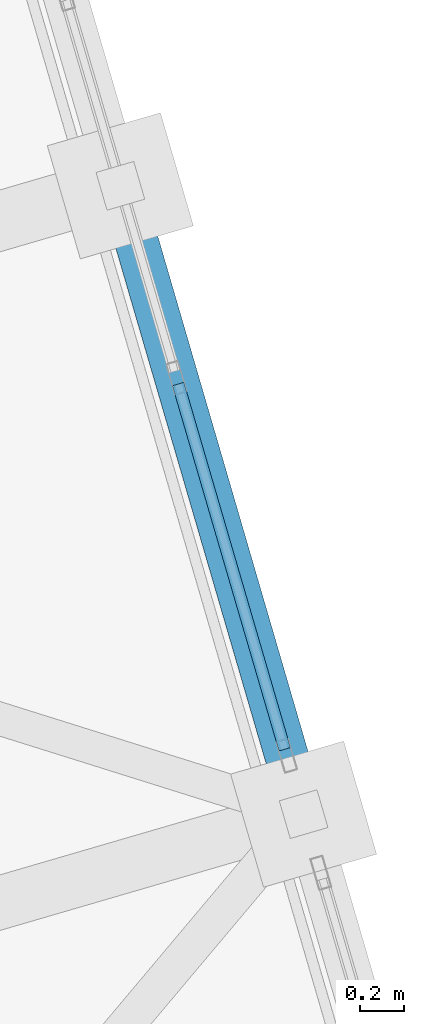
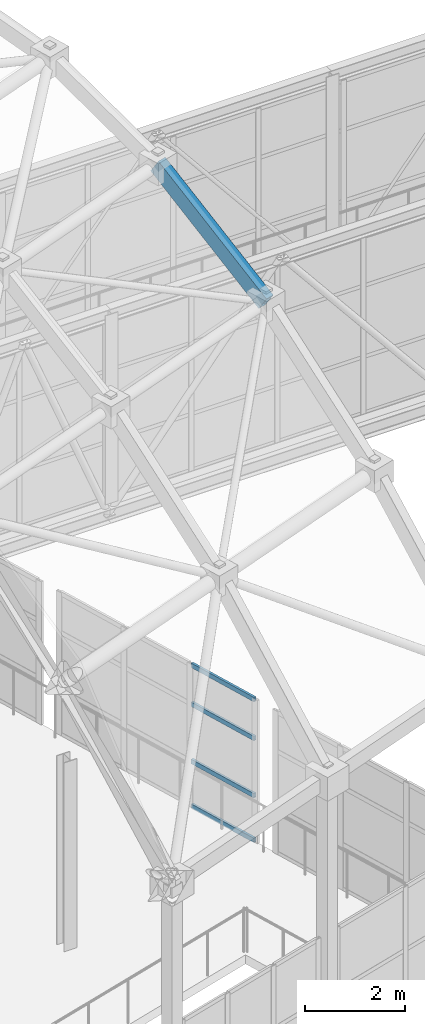
# One storey, part 77 of 248: 4 members, 1 beam, 1 element without a shape of its own.
"""IFC4 building model written with IfcOpenShell, lengths in metres."""

from ifc_helpers import new_model, si_unit, direction, frame, origin, origin_2d, place, context, subcontext, project, spatial, hollow_rectangle, extrude, material, layer, layer_set, material_profile, profile_set, type_object, element, aggregate, save


model = new_model("IFC4")

# Units and contexts
model_context = context("Model", 3, precision=1e-05, world=origin(), true_north=direction((0.0, 1.0)))
body_context = subcontext(model_context, "Body", "Model", "MODEL_VIEW")
ifc_project = project(units=[si_unit("LENGTHUNIT", "METRE"), si_unit("AREAUNIT", "SQUARE_METRE"), si_unit("VOLUMEUNIT", "CUBIC_METRE"), si_unit("PLANEANGLEUNIT", "RADIAN"), si_unit("MASSUNIT", "GRAM", prefix="KILO")], contexts=[model_context])

# Site, building, storey
site_placement = place(None, origin())
site = spatial("IfcSite", under=ifc_project, at=site_placement, CompositionType="ELEMENT")
building_placement = place(site_placement, origin())
building = spatial("IfcBuilding", under=site, at=building_placement, Name="Canggui Botanical Conservatory", CompositionType="ELEMENT")
storey_placement = place(building_placement, frame((0.0, 0.0, 5.39990234375)))
storey = spatial("IfcBuildingStorey", under=building, at=storey_placement, Name="L02", CompositionType="ELEMENT", Elevation=5.39990234375)

# Beam
ifc_material_1 = material(Name="Steel Q355C", Category="steel")
ifc_material_profile_1 = material_profile(ifc_material_1, hollow_rectangle(XDim=0.199951171875, YDim=0.39990234375, WallThickness=0.011962890625, at=origin_2d()), Name="RHS 200x400x12")
ifc_profile_set_1 = profile_set([ifc_material_profile_1], Name="Steel Q355C")
beam_type = type_object("IfcBeamType", Name="BM-GJ04", PredefinedType="BEAM", material=ifc_profile_set_1)
beam_placement = place(storey_placement, frame((70.159912109375, 62.8798828125, 13.343994140625), z_axis=(-0.235781843424, 0.808580932231, 0.539076801898), x_axis=(-0.960017315421, -0.279940626011, 0.0)))
element("IfcBeam", 1, at=beam_placement, inside=storey, type_object=beam_type, Name="Conservatory Stepped-Arch Rib GJ-15 Segment 3", PredefinedType="BEAM", context=body_context, shape_type="SweptSolid", body=[
    extrude(hollow_rectangle(XDim=0.199951171875, YDim=0.39990234375, WallThickness=0.011962890625, at=origin_2d()), origin(), (0.0, 0.0, 1.0), 3.56201171875),
])

# Curtain wall, members
ifc_material_2 = material(Name="Thermally Broken Aluminium", Category="aluminium")
ifc_layer = layer(ifc_material_2, 0.14990234375, Name="Thermally Broken Aluminium", Category="aluminium")
ifc_layer_set = layer_set([ifc_layer], Name="Thermally Broken Aluminium")
curtain_wall_type = type_object("IfcCurtainWallType", Name="CW-UNIT-C", PredefinedType="USERDEFINED", material=ifc_layer_set)
curtain_wall_placement = place(storey_placement, origin())
curtain_wall = element("IfcCurtainWall", 2, at=curtain_wall_placement, inside=storey, type_object=curtain_wall_type, Name="Facade Curtain Wall CW-CONS-GABLE-L02-N-02", ObjectType="UNITISED CURTAIN WALL", PredefinedType="USERDEFINED")
ifc_material_profile_2 = material_profile(ifc_material_2, hollow_rectangle(XDim=0.054931640625, YDim=0.110107421875, WallThickness=0.0029296875, at=origin_2d()), Name="CWT 55x110x3")
ifc_profile_set_2 = profile_set([ifc_material_profile_2], Name="Thermally Broken Aluminium")
member_type = type_object("IfcMemberType", Name="CWT-03", PredefinedType="USERDEFINED", material=ifc_profile_set_2)
member_1_placement = place(storey_placement, frame((70.0732421875, 63.177490234375, 0.027587890625), z_axis=(-0.280043014326, 0.959987453109, 0.0), x_axis=(-0.959987453109, -0.280043014326, 0.0)))
member_1 = element("IfcMember", 3, at=member_1_placement, type_object=member_type, Name="CW-03 transom 1.1", ObjectType="TRANSOM", PredefinedType="USERDEFINED", context=body_context, shape_type="SweptSolid", body=[
    extrude(hollow_rectangle(XDim=0.054931640625, YDim=0.110107421875, WallThickness=0.0029296875, at=origin_2d()), origin(), (0.0, 0.0, 1.0), 1.74365234375),
])
member_2_placement = place(storey_placement, frame((70.0732421875, 63.177490234375, 1.1201171875), z_axis=(-0.280043014326, 0.959987453109, 0.0), x_axis=(-0.959987453109, -0.280043014326, 0.0)))
member_2 = element("IfcMember", 4, at=member_2_placement, type_object=member_type, Name="CW-03 transom 1.2", ObjectType="TRANSOM", PredefinedType="USERDEFINED", context=body_context, shape_type="SweptSolid", body=[
    extrude(hollow_rectangle(XDim=0.054931640625, YDim=0.110107421875, WallThickness=0.0029296875, at=origin_2d()), origin(), (0.0, 0.0, 1.0), 1.74365234375),
])
member_3_placement = place(storey_placement, frame((70.0732421875, 63.177490234375, 2.52001953125), z_axis=(-0.280043014326, 0.959987453109, 0.0), x_axis=(-0.959987453109, -0.280043014326, 0.0)))
member_3 = element("IfcMember", 5, at=member_3_placement, type_object=member_type, Name="CW-03 transom 1.3", ObjectType="TRANSOM", PredefinedType="USERDEFINED", context=body_context, shape_type="SweptSolid", body=[
    extrude(hollow_rectangle(XDim=0.054931640625, YDim=0.110107421875, WallThickness=0.0029296875, at=origin_2d()), origin(), (0.0, 0.0, 1.0), 1.74365234375),
])
member_4_placement = place(storey_placement, frame((70.0732421875, 63.177490234375, 3.47265625), z_axis=(-0.280043014326, 0.959987453109, 0.0), x_axis=(-0.959987453109, -0.280043014326, 0.0)))
member_4 = element("IfcMember", 6, at=member_4_placement, type_object=member_type, Name="CW-03 transom 1.4", ObjectType="TRANSOM", PredefinedType="USERDEFINED", context=body_context, shape_type="SweptSolid", body=[
    extrude(hollow_rectangle(XDim=0.054931640625, YDim=0.110107421875, WallThickness=0.0029296875, at=origin_2d()), origin(), (0.0, 0.0, 1.0), 1.74365234375),
])
aggregate(curtain_wall, [member_1, member_2, member_3, member_4])

save(model, "model.ifc")
